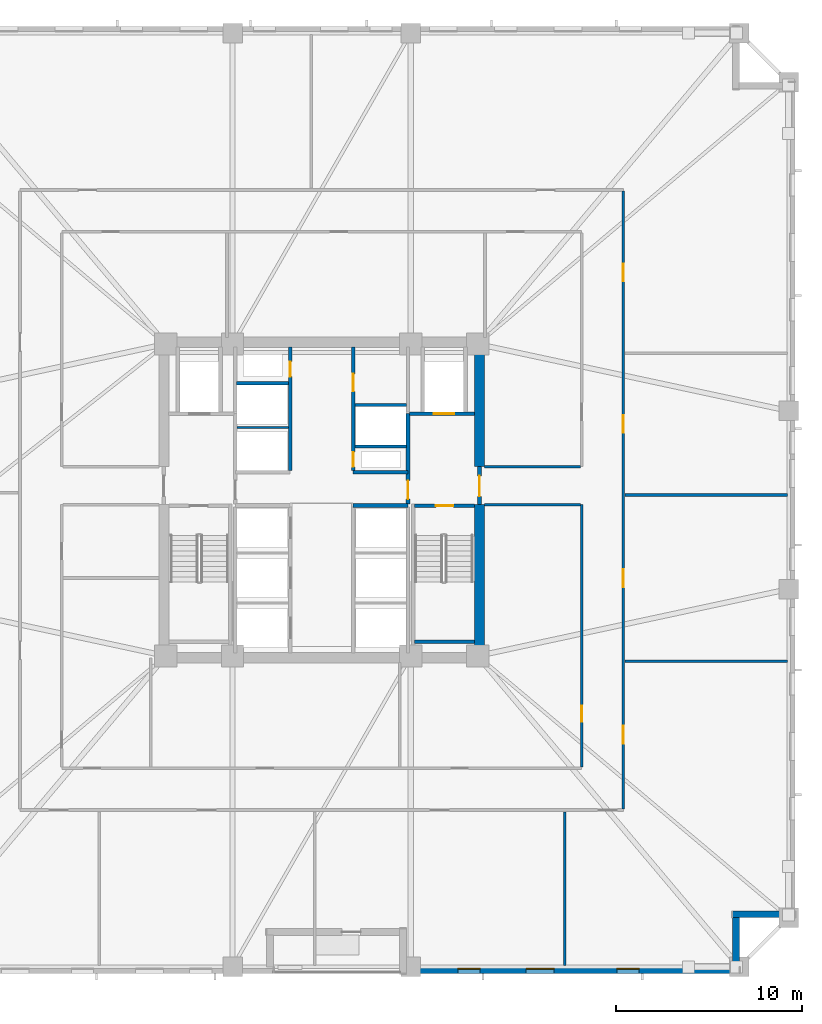
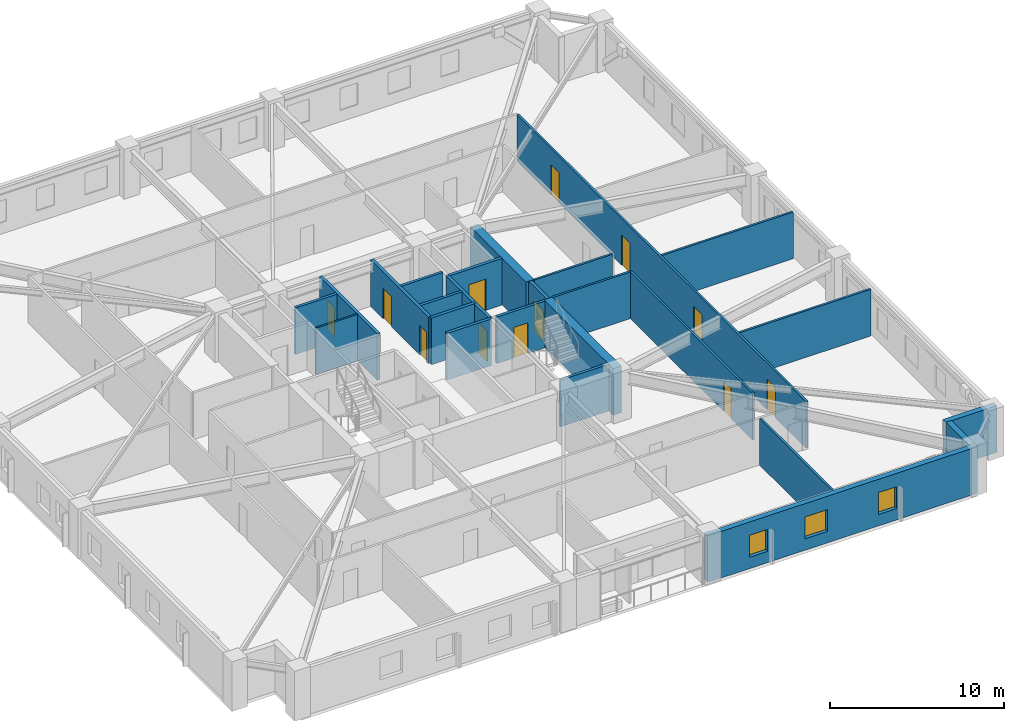
# One storey, part 4 of 11: 25 walls, 12 doors, 3 windows, 15 openings.
"""IFC4 building model written with IfcOpenShell, lengths in metres."""

from ifc_helpers import new_model, si_unit, direction, frame, frame_2d, origin, place, context, subcontext, project, spatial, rectangle, extrude, material, layer, layer_set, type_object, element, fill, save


model = new_model("IFC4")

# Units and contexts
model_context = context("Model", 3, precision=1e-05, world=origin(), true_north=direction((0.0, 1.0)))
body_context = subcontext(model_context, "Body", "Model", "MODEL_VIEW")
ifc_project = project(units=[si_unit("LENGTHUNIT", "METRE"), si_unit("AREAUNIT", "SQUARE_METRE"), si_unit("VOLUMEUNIT", "CUBIC_METRE"), si_unit("PLANEANGLEUNIT", "RADIAN"), si_unit("MASSUNIT", "GRAM", prefix="KILO")], contexts=[model_context])

# Site, building, storey
site_placement = place(None, origin())
site = spatial("IfcSite", under=ifc_project, at=site_placement, CompositionType="ELEMENT")
building_placement = place(site_placement, origin())
building = spatial("IfcBuilding", under=site, at=building_placement, Name="Cairnveth Concourse Tower", CompositionType="ELEMENT")
storey_placement = place(building_placement, frame((0.0, 0.0, 41.0)))
storey = spatial("IfcBuildingStorey", under=building, at=storey_placement, Name="L10", CompositionType="ELEMENT", Elevation=41.0)

# Walls
ifc_material_1 = material(Name="Concrete N80 (80 MPa)", Category="concrete")
ifc_layer_1 = layer(ifc_material_1, 0.550048828125)
ifc_layer_set_1 = layer_set([ifc_layer_1], Name="Concrete N80 (80 MPa)")
wall_type_1 = type_object("IfcWallType", Name="CORE SHEAR WALL 550", PredefinedType="SHEAR", material=ifc_layer_set_1)
wall_1_placement = place(storey_placement, frame((60.5, 30.764892578125, 0.0), z_axis=(0.0, 0.0, 1.0), x_axis=(0.0, 1.0, 0.0)))
element("IfcWall", 1, at=wall_1_placement, inside=storey, type_object=wall_type_1, Name="Core East Shear Wall S L10", PredefinedType="SHEAR", context=body_context, shape_type="SweptSolid", body=[
    extrude(rectangle(XDim=7.985107421875, YDim=0.550048828125, at=frame_2d((3.99267578125, 0.0))), origin(), (0.0, 0.0, 1.0), 3.280029296875),
])
wall_2_placement = place(storey_placement, frame((60.5, 40.800048828125, 0.0), z_axis=(0.0, 0.0, 1.0), x_axis=(0.0, 1.0, 0.0)))
element("IfcWall", 2, at=wall_2_placement, inside=storey, type_object=wall_type_1, Name="Core East Shear Wall N L10", PredefinedType="SHEAR", context=body_context, shape_type="SweptSolid", body=[
    extrude(rectangle(XDim=6.43505859375, YDim=0.550048828125, at=frame_2d((3.217529296875, 0.0))), origin(), (0.0, 0.0, 1.0), 3.280029296875),
])
ifc_material_2 = material(Name="Concrete N50 (50 MPa)", Category="concrete")
ifc_layer_2 = layer(ifc_material_2, 0.179931640625)
ifc_layer_set_2 = layer_set([ifc_layer_2], Name="Concrete N50 (50 MPa)")
wall_type_2 = type_object("IfcWallType", Name="FIRE SHAFT WALL 180", PredefinedType="SOLIDWALL", material=ifc_layer_set_2)
wall_3_placement = place(storey_placement, frame((47.425048828125, 45.280029296875, 0.0), z_axis=(0.0, 0.0, 1.0), x_axis=(1.0, 0.0, 0.0)))
element("IfcWall", 3, at=wall_3_placement, inside=storey, type_object=wall_type_2, Name="Interior Wall IW-L10-033", PredefinedType="SOLIDWALL", context=body_context, shape_type="SweptSolid", body=[
    extrude(rectangle(XDim=2.7900390625, YDim=0.179931640625, at=frame_2d((1.39501953125, 0.0))), origin(), (0.0, 0.0, 1.0), 3.280029296875),
])
wall_4_placement = place(storey_placement, frame((53.784912109375, 41.8798828125, 0.0), z_axis=(0.0, 0.0, 1.0), x_axis=(1.0, 0.0, 0.0)))
element("IfcWall", 4, at=wall_4_placement, inside=storey, type_object=wall_type_2, Name="Interior Wall IW-L10-035", PredefinedType="SOLIDWALL", context=body_context, shape_type="SweptSolid", body=[
    extrude(rectangle(XDim=2.780029296875, YDim=0.179931640625, at=frame_2d((1.39013671875, 0.0))), origin(), (0.0, 0.0, 1.0), 3.280029296875),
])
wall_5_placement = place(storey_placement, frame((53.784912109375, 44.1201171875, 0.0), z_axis=(0.0, 0.0, 1.0), x_axis=(1.0, 0.0, 0.0)))
element("IfcWall", 5, at=wall_5_placement, inside=storey, type_object=wall_type_2, Name="Interior Wall IW-L10-036", PredefinedType="SOLIDWALL", context=body_context, shape_type="SweptSolid", body=[
    extrude(rectangle(XDim=2.7900390625, YDim=0.179931640625, at=frame_2d((1.39501953125, 0.0))), origin(), (0.0, 0.0, 1.0), 3.280029296875),
])

# Wall, opening, door
wall_6_placement = place(storey_placement, frame((57.0048828125, 38.68994140625, 0.0), z_axis=(0.0, 0.0, 1.0), x_axis=(1.0, 0.0, 0.0)))
wall_6 = element("IfcWall", 6, at=wall_6_placement, inside=storey, type_object=wall_type_2, Name="Stair ST-2 Shaft Wall NEAR L10", PredefinedType="SOLIDWALL", context=body_context, shape_type="SweptSolid", body=[
    extrude(rectangle(XDim=3.230224609375, YDim=0.179931640625, at=frame_2d((1.615234375, 0.0))), origin(), (0.0, 0.0, 1.0), 3.280029296875),
])
opening_1_placement = place(wall_6_placement, frame((1.139892578125, 0.0, 0.0)))
opening_1 = element("IfcOpeningElement", 7, at=opening_1_placement, cuts=wall_6, Name="Opening ID12", PredefinedType="OPENING", context=body_context, shape_type="SweptSolid", body=[
    extrude(rectangle(XDim=0.949951171875, YDim=2.14990234375, at=frame_2d((0.47509765625, 1.074951171875))), frame((0.0, 0.099853515625, 0.0), z_axis=(0.0, -1.0, 0.0), x_axis=(1.0, 0.0, 0.0)), (0.0, 0.0, 1.0), 0.199951171875),
])
ifc_material_3 = material(Name="Steel Grade 350", Category="steel")
door_type_1 = type_object("IfcDoorType", Name="FIRE STAIR DOOR 950X2150", OperationType="NOTDEFINED", PredefinedType="DOOR", material=ifc_material_3)
door_1_placement = place(opening_1_placement, origin())
door_1 = element("IfcDoor", 8, at=door_1_placement, inside=storey, type_object=door_type_1, Name="Stair ST-2 Fire Door L10", OperationType="SINGLE_SWING_RIGHT", OverallHeight=2.14990234375, OverallWidth=0.949951171875, PredefinedType="DOOR", context=body_context, shape_type="SweptSolid", body=[
    extrude(rectangle(XDim=0.949951171875, YDim=2.14990234375, at=frame_2d((0.47509765625, 1.074951171875))), frame((0.0, 0.02490234375, 0.0), z_axis=(0.0, -1.0, 0.0), x_axis=(1.0, 0.0, 0.0)), (0.0, 0.0, 1.0), 0.050048828125),
])
fill(opening_1, door_1)

# Walls
wall_7_placement = place(storey_placement, frame((57.0048828125, 31.360107421875, 0.0), z_axis=(0.0, 0.0, 1.0), x_axis=(1.0, 0.0, 0.0)))
element("IfcWall", 9, at=wall_7_placement, inside=storey, type_object=wall_type_2, Name="Stair ST-2 Shaft Wall FAR L10", PredefinedType="SOLIDWALL", context=body_context, shape_type="SweptSolid", body=[
    extrude(rectangle(XDim=3.230224609375, YDim=0.179931640625, at=frame_2d((1.615234375, 0.0))), origin(), (0.0, 0.0, 1.0), 3.280029296875),
])
ifc_layer_3 = layer(ifc_material_2, 0.199951171875)
ifc_layer_set_3 = layer_set([ifc_layer_3], Name="Concrete N50 (50 MPa)")
wall_type_3 = type_object("IfcWallType", Name="FIRE SHAFT WALL 200", PredefinedType="SOLIDWALL", material=ifc_layer_set_3)
for number, where, z_axis, x_axis, name in (
    (10, (53.699951171875, 38.699951171875, 0.0), (0.0, 0.0, 1.0), (1.0, 0.0, 0.0), "Interior Wall IW-L10-009"),
    (11, (53.699951171875, 40.5, 0.0), (0.0, 0.0, 1.0), (1.0, 0.0, 0.0), "Interior Wall IW-L10-010"),
):
    element("IfcWall", number, at=place(storey_placement, frame(where, z_axis=z_axis, x_axis=x_axis)), inside=storey, type_object=wall_type_3, Name=name, PredefinedType="SOLIDWALL", context=body_context, shape_type="SweptSolid", body=[
        extrude(rectangle(XDim=2.949951171875, YDim=0.199951171875, at=frame_2d((1.47509765625, 0.0))), origin(), (0.0, 0.0, 1.0), 3.280029296875),
    ])

# Wall, opening, door
wall_8_placement = place(storey_placement, frame((50.300048828125, 40.5849609375, 0.0), z_axis=(0.0, 0.0, 1.0), x_axis=(0.0, 1.0, 0.0)))
wall_8 = element("IfcWall", 12, at=wall_8_placement, inside=storey, type_object=wall_type_3, Name="Interior Wall IW-L10-013", PredefinedType="SOLIDWALL", context=body_context, shape_type="SweptSolid", body=[
    extrude(rectangle(XDim=6.655029296875, YDim=0.199951171875, at=frame_2d((3.32763671875, 0.0))), origin(), (0.0, 0.0, 1.0), 3.280029296875),
])
opening_2_placement = place(wall_8_placement, frame((5.06494140625, 0.0, 0.0)))
opening_2 = element("IfcOpeningElement", 13, at=opening_2_placement, cuts=wall_8, Name="Opening ID24", PredefinedType="OPENING", context=body_context, shape_type="SweptSolid", body=[
    extrude(rectangle(XDim=0.800048828125, YDim=2.080078125, at=frame_2d((0.39990234375, 1.0400390625))), frame((0.0, 0.10986328125, 0.0), z_axis=(0.0, -1.0, 0.0), x_axis=(1.0, 0.0, 0.0)), (0.0, 0.0, 1.0), 0.219970703125),
])
door_type_2 = type_object("IfcDoorType", Name="RISER ACCESS DOOR 800X2100", OperationType="NOTDEFINED", PredefinedType="DOOR", material=ifc_material_3)
door_2_placement = place(opening_2_placement, origin())
door_2 = element("IfcDoor", 14, at=door_2_placement, inside=storey, type_object=door_type_2, Name="NW Electrical Riser Access Door L10", OperationType="SINGLE_SWING_RIGHT", OverallHeight=2.080078125, OverallWidth=0.800048828125, PredefinedType="DOOR", context=body_context, shape_type="SweptSolid", body=[
    extrude(rectangle(XDim=0.800048828125, YDim=2.080078125, at=frame_2d((0.39990234375, 1.0400390625))), frame((0.0, 0.02490234375, 0.0), z_axis=(0.0, -1.0, 0.0), x_axis=(1.0, 0.0, 0.0)), (0.0, 0.0, 1.0), 0.050048828125),
])
fill(opening_2, door_2)

# Wall, openings, doors
wall_9_placement = place(storey_placement, frame((53.699951171875, 40.5849609375, 0.0), z_axis=(0.0, 0.0, 1.0), x_axis=(0.0, 1.0, 0.0)))
wall_9 = element("IfcWall", 15, at=wall_9_placement, inside=storey, type_object=wall_type_3, Name="Interior Wall IW-L10-014", PredefinedType="SOLIDWALL", context=body_context, shape_type="SweptSolid", body=[
    extrude(rectangle(XDim=6.655029296875, YDim=0.199951171875, at=frame_2d((3.32763671875, 0.0))), origin(), (0.0, 0.0, 1.0), 3.280029296875),
])
opening_3_placement = place(wall_9_placement, frame((0.195068359375, 0.0, 0.0)))
opening_3 = element("IfcOpeningElement", 16, at=opening_3_placement, cuts=wall_9, Name="Opening ID24", PredefinedType="OPENING", context=body_context, shape_type="SweptSolid", body=[
    extrude(rectangle(XDim=0.800048828125, YDim=2.080078125, at=frame_2d((0.39990234375, 1.0400390625))), frame((0.0, 0.10986328125, 0.0), z_axis=(0.0, -1.0, 0.0), x_axis=(1.0, 0.0, 0.0)), (0.0, 0.0, 1.0), 0.219970703125),
])
opening_4_placement = place(wall_9_placement, frame((4.264892578125, 0.0, 0.0)))
opening_4 = element("IfcOpeningElement", 17, at=opening_4_placement, cuts=wall_9, Name="Opening ID25", PredefinedType="OPENING", context=body_context, shape_type="SweptSolid", body=[
    extrude(rectangle(XDim=0.949951171875, YDim=2.1201171875, at=frame_2d((0.47509765625, 1.06005859375))), frame((0.0, 0.10986328125, 0.0), z_axis=(0.0, -1.0, 0.0), x_axis=(1.0, 0.0, 0.0)), (0.0, 0.0, 1.0), 0.219970703125),
])
door_type_3 = type_object("IfcDoorType", Name="CORE ACCESSIBLE FIRE DOOR 950X2120", OperationType="NOTDEFINED", PredefinedType="DOOR", material=ifc_material_3)
door_3_placement = place(opening_4_placement, origin())
door_3 = element("IfcDoor", 18, at=door_3_placement, inside=storey, type_object=door_type_3, Name="Core NE Accessible WC Door L10", OperationType="SINGLE_SWING_RIGHT", OverallHeight=2.1201171875, OverallWidth=0.949951171875, PredefinedType="DOOR", context=body_context, shape_type="SweptSolid", body=[
    extrude(rectangle(XDim=0.949951171875, YDim=2.1201171875, at=frame_2d((0.47509765625, 1.06005859375))), frame((0.0, 0.02490234375, 0.0), z_axis=(0.0, -1.0, 0.0), x_axis=(1.0, 0.0, 0.0)), (0.0, 0.0, 1.0), 0.050048828125),
])
fill(opening_4, door_3)
door_4_placement = place(opening_3_placement, origin())
door_4 = element("IfcDoor", 19, at=door_4_placement, inside=storey, type_object=door_type_2, Name="Hydraulic Riser Door L10", OperationType="SINGLE_SWING_LEFT", OverallHeight=2.080078125, OverallWidth=0.800048828125, PredefinedType="DOOR", context=body_context, shape_type="SweptSolid", body=[
    extrude(rectangle(XDim=0.800048828125, YDim=2.080078125, at=frame_2d((0.39990234375, 1.0400390625))), frame((0.0, 0.02490234375, 0.0), z_axis=(0.0, -1.0, 0.0), x_axis=(1.0, 0.0, 0.0)), (0.0, 0.0, 1.0), 0.050048828125),
])
fill(opening_3, door_4)

# Wall, opening, door
wall_10_placement = place(storey_placement, frame((60.5, 38.75, 0.0), z_axis=(0.0, 0.0, 1.0), x_axis=(0.0, 1.0, 0.0)))
wall_10 = element("IfcWall", 20, at=wall_10_placement, inside=storey, type_object=wall_type_3, Name="Interior Wall IW-L10-020", PredefinedType="SOLIDWALL", context=body_context, shape_type="SweptSolid", body=[
    extrude(rectangle(XDim=2.050048828125, YDim=0.199951171875, at=frame_2d((1.02490234375, 0.0))), origin(), (0.0, 0.0, 1.0), 3.280029296875),
])
opening_5_placement = place(wall_10_placement, frame((0.449951171875, 0.0, 0.0)))
opening_5 = element("IfcOpeningElement", 21, at=opening_5_placement, cuts=wall_10, Name="Opening ID06", PredefinedType="OPENING", context=body_context, shape_type="SweptSolid", body=[
    extrude(rectangle(XDim=1.10009765625, YDim=2.14990234375, at=frame_2d((0.550048828125, 1.074951171875))), frame((0.0, 0.10986328125, 0.0), z_axis=(0.0, -1.0, 0.0), x_axis=(1.0, 0.0, 0.0)), (0.0, 0.0, 1.0), 0.219970703125),
])
door_type_4 = type_object("IfcDoorType", Name="FIRE CORRIDOR DOOR 1100X2150", OperationType="NOTDEFINED", PredefinedType="DOOR", material=ifc_material_3)
door_5_placement = place(opening_5_placement, origin())
door_5 = element("IfcDoor", 22, at=door_5_placement, inside=storey, type_object=door_type_4, Name="East Wing to FF Lobby Door L10", OperationType="SINGLE_SWING_RIGHT", OverallHeight=2.14990234375, OverallWidth=1.10009765625, PredefinedType="DOOR", context=body_context, shape_type="SweptSolid", body=[
    extrude(rectangle(XDim=1.10009765625, YDim=2.14990234375, at=frame_2d((0.550048828125, 1.074951171875))), frame((0.0, 0.02490234375, 0.0), z_axis=(0.0, -1.0, 0.0), x_axis=(1.0, 0.0, 0.0)), (0.0, 0.0, 1.0), 0.050048828125),
])
fill(opening_5, door_5)

wall_11_placement = place(storey_placement, frame((56.64990234375, 38.784912109375, 0.0), z_axis=(0.0, 0.0, 1.0), x_axis=(0.0, 1.0, 0.0)))
wall_11 = element("IfcWall", 23, at=wall_11_placement, inside=storey, type_object=wall_type_3, Name="Interior Wall IW-L10-021", PredefinedType="SOLIDWALL", context=body_context, shape_type="SweptSolid", body=[
    extrude(rectangle(XDim=4.864990234375, YDim=0.199951171875, at=frame_2d((2.4326171875, 0.0))), origin(), (0.0, 0.0, 1.0), 3.280029296875),
])
opening_6_placement = place(wall_11_placement, frame((0.264892578125, 0.0, 0.0)))
opening_6 = element("IfcOpeningElement", 24, at=opening_6_placement, cuts=wall_11, Name="Opening ID07", PredefinedType="OPENING", context=body_context, shape_type="SweptSolid", body=[
    extrude(rectangle(XDim=1.0, YDim=2.14990234375, at=frame_2d((0.5, 1.074951171875))), frame((0.0, 0.10986328125, 0.0), z_axis=(0.0, -1.0, 0.0), x_axis=(1.0, 0.0, 0.0)), (0.0, 0.0, 1.0), 0.219970703125),
])
door_type_5 = type_object("IfcDoorType", Name="FIRE CORRIDOR DOOR 1000X2150", OperationType="NOTDEFINED", PredefinedType="DOOR", material=ifc_material_3)
door_6_placement = place(opening_6_placement, origin())
door_6 = element("IfcDoor", 25, at=door_6_placement, inside=storey, type_object=door_type_5, Name="FF Lobby East to Lift Lobby Door L10", OperationType="SINGLE_SWING_LEFT", OverallHeight=2.14990234375, OverallWidth=1.0, PredefinedType="DOOR", context=body_context, shape_type="SweptSolid", body=[
    extrude(rectangle(XDim=1.0, YDim=2.14990234375, at=frame_2d((0.5, 1.074951171875))), frame((0.0, 0.02490234375, 0.0), z_axis=(0.0, -1.0, 0.0), x_axis=(1.0, 0.0, 0.0)), (0.0, 0.0, 1.0), 0.050048828125),
])
fill(opening_6, door_6)

wall_12_placement = place(storey_placement, frame((56.735107421875, 43.64990234375, 0.0), z_axis=(0.0, 0.0, 1.0), x_axis=(1.0, 0.0, 0.0)))
wall_12 = element("IfcWall", 26, at=wall_12_placement, inside=storey, type_object=wall_type_3, Name="Interior Wall IW-L10-022", PredefinedType="SOLIDWALL", context=body_context, shape_type="SweptSolid", body=[
    extrude(rectangle(XDim=3.5048828125, YDim=0.199951171875, at=frame_2d((1.75244140625, 0.0))), origin(), (0.0, 0.0, 1.0), 3.280029296875),
])
opening_7_placement = place(wall_12_placement, frame((1.294921875, 0.0, 0.0)))
opening_7 = element("IfcOpeningElement", 27, at=opening_7_placement, cuts=wall_12, Name="Opening LD-1", PredefinedType="OPENING", context=body_context, shape_type="SweptSolid", body=[
    extrude(rectangle(XDim=1.10009765625, YDim=2.199951171875, at=frame_2d((0.550048828125, 1.10009765625))), frame((0.0, 0.10986328125, 0.0), z_axis=(0.0, -1.0, 0.0), x_axis=(1.0, 0.0, 0.0)), (0.0, 0.0, 1.0), 0.219970703125),
])
ifc_material_4 = material(Name="Architectural Bronze Anodised Aluminium 6063-T6", Category="aluminium")
door_type_6 = type_object("IfcDoorType", Name="LIFT LANDING DOOR 1100X2200", OperationType="SLIDING_TO_LEFT", PredefinedType="DOOR", material=ifc_material_4)
door_7_placement = place(opening_7_placement, origin())
door_7 = element("IfcDoor", 28, at=door_7_placement, inside=storey, type_object=door_type_6, Name="Lift FFL2 Landing Door L10", OperationType="SLIDING_TO_LEFT", OverallHeight=2.199951171875, OverallWidth=1.10009765625, PredefinedType="DOOR", context=body_context, shape_type="SweptSolid", body=[
    extrude(rectangle(XDim=1.10009765625, YDim=2.199951171875, at=frame_2d((0.550048828125, 1.10009765625))), frame((0.0, 0.02490234375, 0.0), z_axis=(0.0, -1.0, 0.0), x_axis=(1.0, 0.0, 0.0)), (0.0, 0.0, 1.0), 0.050048828125),
])
fill(opening_7, door_7)

# Wall, openings, doors
ifc_material_5 = material(Name="Gypsum Plasterboard Partition", Category="gypsum")
ifc_layer_4 = layer(ifc_material_5, 0.139892578125)
ifc_layer_set_4 = layer_set([ifc_layer_4], Name="Gypsum Plasterboard Partition")
wall_type_4 = type_object("IfcWallType", Name="GYPSUM STUD PARTITION 140", PredefinedType="PARTITIONING", material=ifc_layer_set_4)
wall_13_placement = place(storey_placement, frame((68.25, 22.35498046875, 0.0), z_axis=(0.0, 0.0, 1.0), x_axis=(0.0, 1.0, 0.0)))
wall_13 = element("IfcWall", 29, at=wall_13_placement, inside=storey, type_object=wall_type_4, Name="Interior Wall IW-L10-040", PredefinedType="PARTITIONING", context=body_context, shape_type="SweptSolid", body=[
    extrude(rectangle(XDim=33.2900390625, YDim=0.139892578125, at=frame_2d((16.64501953125, 0.0))), origin(), (0.0, 0.0, 1.0), 3.280029296875),
])
opening_8_placement = place(wall_13_placement, frame((3.521728515625, 0.0, 0.0)))
opening_8 = element("IfcOpeningElement", 30, at=opening_8_placement, cuts=wall_13, Name="Opening ID11", PredefinedType="OPENING", context=body_context, shape_type="SweptSolid", body=[
    extrude(rectangle(XDim=0.9599609375, YDim=2.1201171875, at=frame_2d((0.47998046875, 1.06005859375))), frame((0.0, 0.079833984375, 0.0), z_axis=(0.0, -1.0, 0.0), x_axis=(1.0, 0.0, 0.0)), (0.0, 0.0, 1.0), 0.159912109375),
])
opening_9_placement = place(wall_13_placement, frame((11.95556640625, 0.0, 0.0)))
opening_9 = element("IfcOpeningElement", 31, at=opening_9_placement, cuts=wall_13, Name="Opening ID11", PredefinedType="OPENING", context=body_context, shape_type="SweptSolid", body=[
    extrude(rectangle(XDim=0.9599609375, YDim=2.1201171875, at=frame_2d((0.47998046875, 1.06005859375))), frame((0.0, 0.079833984375, 0.0), z_axis=(0.0, -1.0, 0.0), x_axis=(1.0, 0.0, 0.0)), (0.0, 0.0, 1.0), 0.159912109375),
])
opening_10_placement = place(wall_13_placement, frame((20.255615234375, 0.0, 0.0)))
opening_10 = element("IfcOpeningElement", 32, at=opening_10_placement, cuts=wall_13, Name="Opening ID11", PredefinedType="OPENING", context=body_context, shape_type="SweptSolid", body=[
    extrude(rectangle(XDim=0.9599609375, YDim=2.1201171875, at=frame_2d((0.47998046875, 1.06005859375))), frame((0.0, 0.079833984375, 0.0), z_axis=(0.0, -1.0, 0.0), x_axis=(1.0, 0.0, 0.0)), (0.0, 0.0, 1.0), 0.159912109375),
])
opening_11_placement = place(wall_13_placement, frame((28.421630859375, 0.0, 0.0)))
opening_11 = element("IfcOpeningElement", 33, at=opening_11_placement, cuts=wall_13, Name="Opening ID11", PredefinedType="OPENING", context=body_context, shape_type="SweptSolid", body=[
    extrude(rectangle(XDim=0.9599609375, YDim=2.1201171875, at=frame_2d((0.47998046875, 1.06005859375))), frame((0.0, 0.079833984375, 0.0), z_axis=(0.0, -1.0, 0.0), x_axis=(1.0, 0.0, 0.0)), (0.0, 0.0, 1.0), 0.159912109375),
])
ifc_material_6 = material(Name="Solid Core Hardwood Timber Leaf", Category="wood")
door_type_7 = type_object("IfcDoorType", Name="INTERIOR SINGLE DOOR 960X2150", OperationType="NOTDEFINED", PredefinedType="DOOR", material=ifc_material_6)
door_8_placement = place(opening_8_placement, origin())
door_8 = element("IfcDoor", 34, at=door_8_placement, inside=storey, type_object=door_type_7, Name="Office Door L10-E1", OperationType="SINGLE_SWING_RIGHT", OverallHeight=2.1201171875, OverallWidth=0.9599609375, PredefinedType="DOOR", context=body_context, shape_type="SweptSolid", body=[
    extrude(rectangle(XDim=0.9599609375, YDim=2.1201171875, at=frame_2d((0.47998046875, 1.06005859375))), frame((0.0, 0.02490234375, 0.0), z_axis=(0.0, -1.0, 0.0), x_axis=(1.0, 0.0, 0.0)), (0.0, 0.0, 1.0), 0.050048828125),
])
fill(opening_8, door_8)
door_9_placement = place(opening_9_placement, origin())
door_9 = element("IfcDoor", 35, at=door_9_placement, inside=storey, type_object=door_type_7, Name="Office Door L10-E2", OperationType="SINGLE_SWING_LEFT", OverallHeight=2.1201171875, OverallWidth=0.9599609375, PredefinedType="DOOR", context=body_context, shape_type="SweptSolid", body=[
    extrude(rectangle(XDim=0.9599609375, YDim=2.1201171875, at=frame_2d((0.47998046875, 1.06005859375))), frame((0.0, 0.02490234375, 0.0), z_axis=(0.0, -1.0, 0.0), x_axis=(1.0, 0.0, 0.0)), (0.0, 0.0, 1.0), 0.050048828125),
])
fill(opening_9, door_9)
door_10_placement = place(opening_10_placement, origin())
door_10 = element("IfcDoor", 36, at=door_10_placement, inside=storey, type_object=door_type_7, Name="Office Door L10-E3", OperationType="SINGLE_SWING_RIGHT", OverallHeight=2.1201171875, OverallWidth=0.9599609375, PredefinedType="DOOR", context=body_context, shape_type="SweptSolid", body=[
    extrude(rectangle(XDim=0.9599609375, YDim=2.1201171875, at=frame_2d((0.47998046875, 1.06005859375))), frame((0.0, 0.02490234375, 0.0), z_axis=(0.0, -1.0, 0.0), x_axis=(1.0, 0.0, 0.0)), (0.0, 0.0, 1.0), 0.050048828125),
])
fill(opening_10, door_10)
door_11_placement = place(opening_11_placement, origin())
door_11 = element("IfcDoor", 37, at=door_11_placement, inside=storey, type_object=door_type_7, Name="Office Door L10-E4", OperationType="SINGLE_SWING_LEFT", OverallHeight=2.1201171875, OverallWidth=0.9599609375, PredefinedType="DOOR", context=body_context, shape_type="SweptSolid", body=[
    extrude(rectangle(XDim=0.9599609375, YDim=2.1201171875, at=frame_2d((0.47998046875, 1.06005859375))), frame((0.0, 0.02490234375, 0.0), z_axis=(0.0, -1.0, 0.0), x_axis=(1.0, 0.0, 0.0)), (0.0, 0.0, 1.0), 0.050048828125),
])
fill(opening_11, door_11)

# Wall, opening, door
wall_14_placement = place(storey_placement, frame((66.0, 24.60498046875, 0.0), z_axis=(0.0, 0.0, 1.0), x_axis=(0.0, 1.0, 0.0)))
wall_14 = element("IfcWall", 38, at=wall_14_placement, inside=storey, type_object=wall_type_4, Name="Interior Wall IW-L10-047", PredefinedType="PARTITIONING", context=body_context, shape_type="SweptSolid", body=[
    extrude(rectangle(XDim=14.14501953125, YDim=0.139892578125, at=frame_2d((7.072509765625, 0.0))), origin(), (0.0, 0.0, 1.0), 3.280029296875),
])
opening_12_placement = place(wall_14_placement, frame((2.445068359375, 0.0, 0.0)))
opening_12 = element("IfcOpeningElement", 39, at=opening_12_placement, cuts=wall_14, Name="Opening ID18", PredefinedType="OPENING", context=body_context, shape_type="SweptSolid", body=[
    extrude(rectangle(XDim=0.8798828125, YDim=2.10009765625, at=frame_2d((0.43994140625, 1.050048828125))), frame((0.0, 0.079833984375, 0.0), z_axis=(0.0, -1.0, 0.0), x_axis=(1.0, 0.0, 0.0)), (0.0, 0.0, 1.0), 0.159912109375),
])
door_type_8 = type_object("IfcDoorType", Name="INTERIOR SINGLE DOOR 880X2100", OperationType="NOTDEFINED", PredefinedType="DOOR", material=ifc_material_6)
door_12_placement = place(opening_12_placement, origin())
door_12 = element("IfcDoor", 40, at=door_12_placement, inside=storey, type_object=door_type_8, Name="Interior Door DR-L10-022", OperationType="SINGLE_SWING_RIGHT", OverallHeight=2.10009765625, OverallWidth=0.8798828125, PredefinedType="DOOR", context=body_context, shape_type="SweptSolid", body=[
    extrude(rectangle(XDim=0.8798828125, YDim=2.10009765625, at=frame_2d((0.43994140625, 1.050048828125))), frame((0.0, 0.02490234375, 0.0), z_axis=(0.0, -1.0, 0.0), x_axis=(1.0, 0.0, 0.0)), (0.0, 0.0, 1.0), 0.050048828125),
])
fill(opening_12, door_12)

# Walls
for number, where, z_axis, x_axis, name in (
    (41, (60.760009765625, 38.75, 0.0), (0.0, 0.0, 1.0), (1.0, 0.0, 0.0), "Interior Wall IW-L10-049"),
    (42, (60.760009765625, 40.800048828125, 0.0), (0.0, 0.0, 1.0), (1.0, 0.0, 0.0), "Interior Wall IW-L10-050"),
):
    element("IfcWall", number, at=place(storey_placement, frame(where, z_axis=z_axis, x_axis=x_axis)), inside=storey, type_object=wall_type_4, Name=name, PredefinedType="PARTITIONING", context=body_context, shape_type="SweptSolid", body=[
        extrude(rectangle(XDim=5.18505859375, YDim=0.139892578125, at=frame_2d((2.592529296875, 0.0))), origin(), (0.0, 0.0, 1.0), 3.280029296875),
    ])
wall_15_placement = place(storey_placement, frame((65.092529296875, 13.919921875, 0.0), z_axis=(0.0, 0.0, 1.0), x_axis=(0.0, 1.0, 0.0)))
element("IfcWall", 43, at=wall_15_placement, inside=storey, type_object=wall_type_4, Name="Interior Wall IW-L10-058", PredefinedType="PARTITIONING", context=body_context, shape_type="SweptSolid", body=[
    extrude(rectangle(XDim=8.280029296875, YDim=0.139892578125, at=frame_2d((4.14013671875, 0.0))), origin(), (0.0, 0.0, 1.0), 3.280029296875),
])
for number, where, z_axis, x_axis, name in (
    (44, (68.35009765625, 30.313232421875, 0.0), (0.0, 0.0, 1.0), (1.0, 0.0, 0.0), "Interior Wall IW-L10-061"),
    (45, (68.35009765625, 39.267578125, 0.0), (0.0, 0.0, 1.0), (1.0, 0.0, 0.0), "Interior Wall IW-L10-062"),
):
    element("IfcWall", number, at=place(storey_placement, frame(where, z_axis=z_axis, x_axis=x_axis)), inside=storey, type_object=wall_type_4, Name=name, PredefinedType="PARTITIONING", context=body_context, shape_type="SweptSolid", body=[
        extrude(rectangle(XDim=8.72998046875, YDim=0.139892578125, at=frame_2d((4.364990234375, 0.0))), origin(), (0.0, 0.0, 1.0), 3.280029296875),
    ])
ifc_layer_5 = layer(ifc_material_5, 0.110107421875)
ifc_layer_set_5 = layer_set([ifc_layer_5], Name="Gypsum Plasterboard Partition")
wall_type_5 = type_object("IfcWallType", Name="SHAFT DIVIDER WALL 140", PredefinedType="PARTITIONING", material=ifc_layer_set_5)
wall_16_placement = place(storey_placement, frame((47.43505859375, 42.89990234375, 0.0), z_axis=(0.0, 0.0, 1.0), x_axis=(1.0, 0.0, 0.0)))
element("IfcWall", 46, at=wall_16_placement, inside=storey, type_object=wall_type_5, Name="Interior Wall IW-L10-032", PredefinedType="PARTITIONING", context=body_context, shape_type="SweptSolid", body=[
    extrude(rectangle(XDim=2.780029296875, YDim=0.110107421875, at=frame_2d((1.39013671875, 0.0))), origin(), (0.0, 0.0, 1.0), 3.280029296875),
])
ifc_material_7 = material(Name="Hawthorn Red-Ochre Fired Clay Brick Masonry", Category="masonry")
ifc_layer_6 = layer(ifc_material_7, 0.360107421875)
ifc_layer_set_6 = layer_set([ifc_layer_6], Name="Hawthorn Red-Ochre Fired Clay Brick Masonry")
wall_type_6 = type_object("IfcWallType", Name="ZONE 1 BRICK PIER SPANDREL WALL 360", PredefinedType="SOLIDWALL", material=ifc_layer_set_6)
wall_17_placement = place(storey_placement, frame((77.5, 16.679931640625, 0.0), z_axis=(0.0, 0.0, 1.0), x_axis=(-1.0, 0.0, 0.0)))
element("IfcWall", 47, at=wall_17_placement, inside=storey, type_object=wall_type_6, Name="Exterior Wall EW-L10-S10", PredefinedType="SOLIDWALL", context=body_context, shape_type="SweptSolid", body=[
    extrude(rectangle(XDim=3.360107421875, YDim=0.360107421875, at=frame_2d((1.68017578125, 0.0))), origin(), (0.0, 0.0, 1.0), 3.280029296875),
])
wall_18_placement = place(storey_placement, frame((74.320068359375, 16.52197265625, 0.0), z_axis=(0.0, 0.0, 1.0), x_axis=(0.0, -1.0, 0.0)))
element("IfcWall", 48, at=wall_18_placement, inside=storey, type_object=wall_type_6, Name="Exterior Wall EW-L10-S11", PredefinedType="SOLIDWALL", context=body_context, shape_type="SweptSolid", body=[
    extrude(rectangle(XDim=2.68408203125, YDim=0.360107421875, at=frame_2d((1.342041015625, 0.0))), origin(), (0.0, 0.0, 1.0), 3.280029296875),
])

# Wall, openings, windows
wall_19_placement = place(storey_placement, frame((74.5, 13.679931640625, 0.0), z_axis=(0.0, 0.0, 1.0), x_axis=(-1.0, 0.0, 0.0)))
wall_19 = element("IfcWall", 49, at=wall_19_placement, inside=storey, type_object=wall_type_6, Name="Exterior Wall EW-L10-S12", PredefinedType="SOLIDWALL", context=body_context, shape_type="SweptSolid", body=[
    extrude(rectangle(XDim=17.9619140625, YDim=0.360107421875, at=frame_2d((8.98095703125, 0.0))), origin(), (0.0, 0.0, 1.0), 3.280029296875),
])
opening_13_placement = place(wall_19_placement, frame((5.393798828125, 0.0, 0.800048828125)))
opening_13 = element("IfcOpeningElement", 50, at=opening_13_placement, cuts=wall_19, Name="Opening W01", PredefinedType="OPENING", context=body_context, shape_type="SweptSolid", body=[
    extrude(rectangle(XDim=1.199951171875, YDim=1.5439453125, at=frame_2d((0.60009765625, 0.77197265625))), frame((0.0, 0.18994140625, 0.0), z_axis=(0.0, -1.0, 0.0), x_axis=(1.0, 0.0, 0.0)), (0.0, 0.0, 1.0), 0.380126953125),
])
opening_14_placement = place(wall_19_placement, frame((9.98095703125, 0.0, 0.800048828125)))
opening_14 = element("IfcOpeningElement", 51, at=opening_14_placement, cuts=wall_19, Name="Opening W03", PredefinedType="OPENING", context=body_context, shape_type="SweptSolid", body=[
    extrude(rectangle(XDim=1.5, YDim=1.5439453125, at=frame_2d((0.75, 0.77197265625))), frame((0.0, 0.18994140625, 0.0), z_axis=(0.0, -1.0, 0.0), x_axis=(1.0, 0.0, 0.0)), (0.0, 0.0, 1.0), 0.380126953125),
])
opening_15_placement = place(wall_19_placement, frame((13.96826171875, 0.0, 0.800048828125)))
opening_15 = element("IfcOpeningElement", 52, at=opening_15_placement, cuts=wall_19, Name="Opening W01", PredefinedType="OPENING", context=body_context, shape_type="SweptSolid", body=[
    extrude(rectangle(XDim=1.199951171875, YDim=1.5439453125, at=frame_2d((0.60009765625, 0.77197265625))), frame((0.0, 0.18994140625, 0.0), z_axis=(0.0, -1.0, 0.0), x_axis=(1.0, 0.0, 0.0)), (0.0, 0.0, 1.0), 0.380126953125),
])
ifc_material_8 = material(Name="Double Glazed Low-E Clear Glass", Category="glass")
window_type_1 = type_object("IfcWindowType", Name="DEEP-SET GOTHIC LANCET WINDOW 1200X1800", PartitioningType="DOUBLE_PANEL_VERTICAL", PredefinedType="WINDOW", material=ifc_material_8)
window_1_placement = place(opening_13_placement, origin())
window_1 = element("IfcWindow", 53, at=window_1_placement, inside=storey, type_object=window_type_1, Name="Gothic Lancet Window L10-12-1", OverallHeight=1.5439453125, OverallWidth=1.199951171875, PartitioningType="SINGLE_PANEL", PredefinedType="WINDOW", context=body_context, shape_type="SweptSolid", body=[
    extrude(rectangle(XDim=1.199951171875, YDim=1.5439453125, at=frame_2d((0.60009765625, 0.77197265625))), frame((0.0, -0.050048828125, 0.0), z_axis=(0.0, -1.0, 0.0), x_axis=(1.0, 0.0, 0.0)), (0.0, 0.0, 1.0), 0.06005859375),
])
fill(opening_13, window_1)
window_2_placement = place(opening_15_placement, origin())
window_2 = element("IfcWindow", 54, at=window_2_placement, inside=storey, type_object=window_type_1, Name="Gothic Lancet Window L10-12-3", OverallHeight=1.5439453125, OverallWidth=1.199951171875, PartitioningType="SINGLE_PANEL", PredefinedType="WINDOW", context=body_context, shape_type="SweptSolid", body=[
    extrude(rectangle(XDim=1.199951171875, YDim=1.5439453125, at=frame_2d((0.60009765625, 0.77197265625))), frame((0.0, -0.050048828125, 0.0), z_axis=(0.0, -1.0, 0.0), x_axis=(1.0, 0.0, 0.0)), (0.0, 0.0, 1.0), 0.06005859375),
])
fill(opening_15, window_2)
window_type_2 = type_object("IfcWindowType", Name="DEEP-SET GOTHIC LANCET WINDOW 1500X1800", PartitioningType="DOUBLE_PANEL_VERTICAL", PredefinedType="WINDOW", material=ifc_material_8)
window_3_placement = place(opening_14_placement, origin())
window_3 = element("IfcWindow", 55, at=window_3_placement, inside=storey, type_object=window_type_2, Name="Gothic Lancet Window L10-12-2", OverallHeight=1.5439453125, OverallWidth=1.5, PartitioningType="SINGLE_PANEL", PredefinedType="WINDOW", context=body_context, shape_type="SweptSolid", body=[
    extrude(rectangle(XDim=1.5, YDim=1.5439453125, at=frame_2d((0.75, 0.77197265625))), frame((0.0, -0.050048828125, 0.0), z_axis=(0.0, -1.0, 0.0), x_axis=(1.0, 0.0, 0.0)), (0.0, 0.0, 1.0), 0.06005859375),
])
fill(opening_14, window_3)

save(model, "model.ifc")
